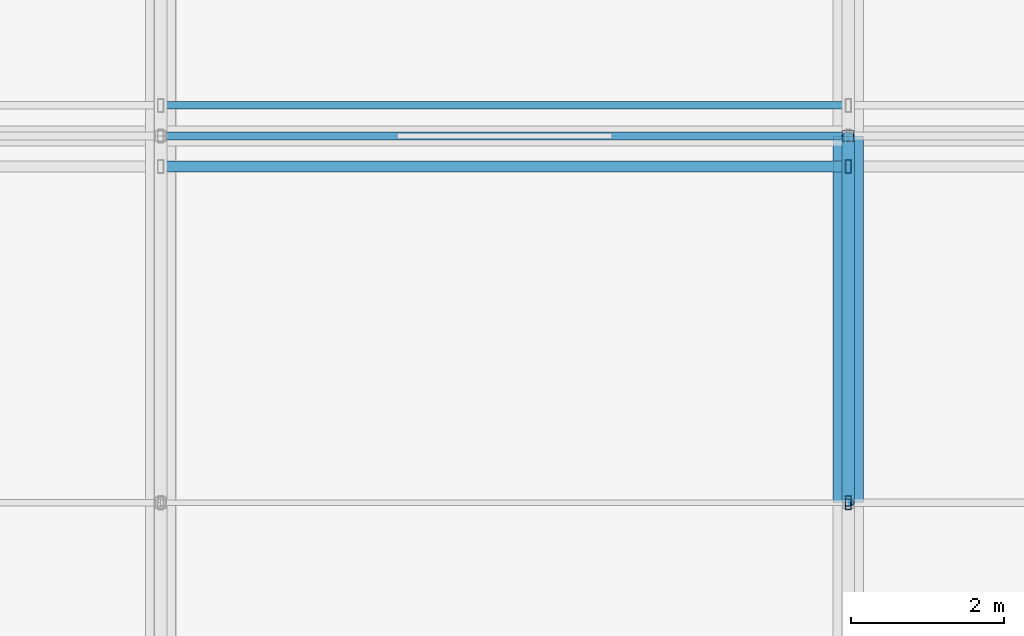
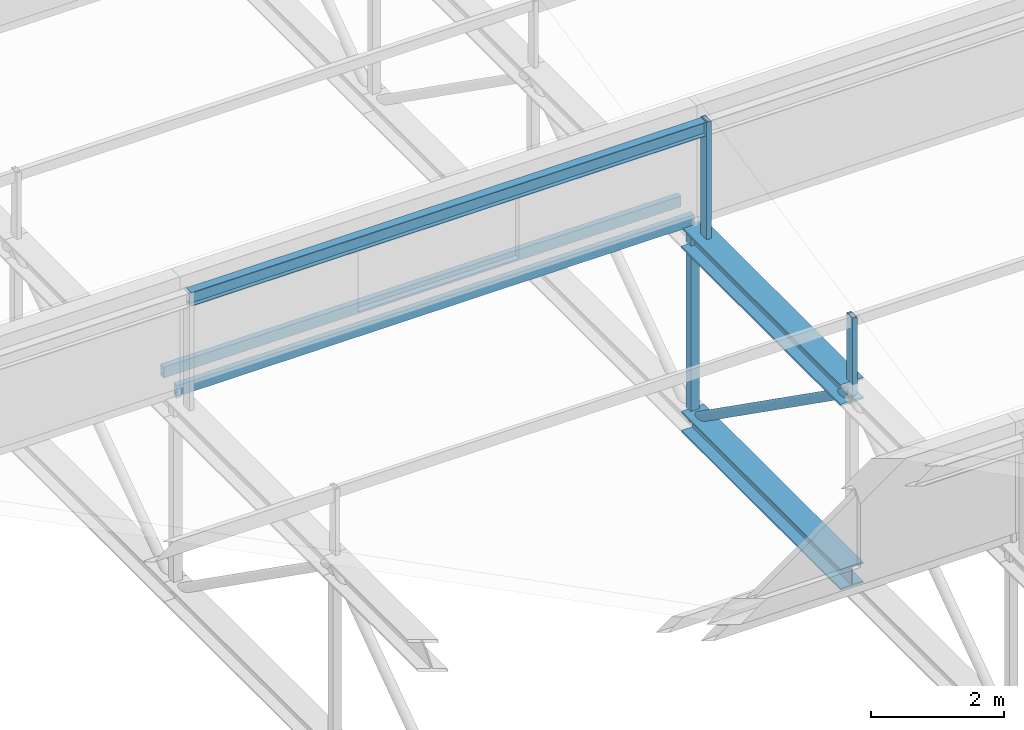
# One storey, part 34 of 136: 7 members, 2 beams.
"""IFC4 building model written with IfcOpenShell, lengths in metres."""

from ifc_helpers import new_model, si_unit, direction, frame, origin, origin_2d, place, context, subcontext, project, spatial, hollow_rectangle, hollow_circle, i_section, extrude, material, material_profile, profile_set, type_object, element, save


model = new_model("IFC4")

# Units and contexts
model_context = context("Model", 3, precision=1e-05, world=origin(), true_north=direction((0.0, 1.0)))
body_context = subcontext(model_context, "Body", "Model", "MODEL_VIEW")
ifc_project = project(units=[si_unit("LENGTHUNIT", "METRE"), si_unit("AREAUNIT", "SQUARE_METRE"), si_unit("VOLUMEUNIT", "CUBIC_METRE"), si_unit("PLANEANGLEUNIT", "RADIAN"), si_unit("MASSUNIT", "GRAM", prefix="KILO")], contexts=[model_context])

# Site, building, storey
site_placement = place(None, origin())
site = spatial("IfcSite", under=ifc_project, at=site_placement, CompositionType="ELEMENT")
building_placement = place(site_placement, origin())
building = spatial("IfcBuilding", under=site, at=building_placement, Name="Kisiwana Market Hall", CompositionType="ELEMENT")
storey_placement = place(building_placement, frame((0.0, 0.0, 16.800048828125)))
storey = spatial("IfcBuildingStorey", under=building, at=storey_placement, Name="L03", CompositionType="ELEMENT", Elevation=16.800048828125)

# Beams
ifc_material_1 = material(Name="Steel S355", Category="steel")
ifc_material_profile_1 = material_profile(ifc_material_1, i_section(OverallWidth=0.394775390625, OverallDepth=0.381103515625, WebThickness=0.018310546875, FlangeThickness=0.0302734375, at=origin_2d()), Name="UC 356x406x235")
ifc_profile_set_1 = profile_set([ifc_material_profile_1], Name="Steel S355")
beam_type_1 = type_object("IfcBeamType", Name="BM-TRUSS-BOT", PredefinedType="USERDEFINED", material=ifc_profile_set_1)
beam_1_placement = place(storey_placement, frame((117.0, 50.39990234375, 0.22998046875), z_axis=(0.0, 1.0, 0.0), x_axis=(-1.0, 0.0, 0.0)))
element("IfcBeam", 1, at=beam_1_placement, inside=storey, type_object=beam_type_1, Name="TR-06 BC panel 4 B-1281", ObjectType="ROOF TRUSS", PredefinedType="USERDEFINED", context=body_context, shape_type="SweptSolid", body=[
    extrude(i_section(OverallWidth=0.394775390625, OverallDepth=0.381103515625, WebThickness=0.018310546875, FlangeThickness=0.0302734375, at=origin_2d()), origin(), (0.0, 0.0, 1.0), 4.800048828125),
])
ifc_material_2 = material(Name="Steel S355", Category="steel")
ifc_material_profile_2 = material_profile(ifc_material_2, i_section(OverallWidth=0.39892578125, OverallDepth=0.3935546875, WebThickness=0.022705078125, FlangeThickness=0.03662109375, at=origin_2d()), Name="UC 356x406x287")
ifc_profile_set_2 = profile_set([ifc_material_profile_2], Name="Steel S355")
beam_type_2 = type_object("IfcBeamType", Name="BM-TRUSS-TOP", PredefinedType="USERDEFINED", material=ifc_profile_set_2)
beam_2_placement = place(storey_placement, frame((117.0, 50.39990234375, 3.619873046875), z_axis=(0.0, 1.0, 0.0), x_axis=(-1.0, 0.0, 0.0)))
element("IfcBeam", 2, at=beam_2_placement, inside=storey, type_object=beam_type_2, Name="TR-06 TC panel 4 B-1291", ObjectType="ROOF TRUSS", PredefinedType="USERDEFINED", context=body_context, shape_type="SweptSolid", body=[
    extrude(i_section(OverallWidth=0.39892578125, OverallDepth=0.3935546875, WebThickness=0.022705078125, FlangeThickness=0.03662109375, at=origin_2d()), origin(), (0.0, 0.0, 1.0), 4.800048828125),
])

# Members
ifc_material_3 = material(Name="Steel S355", Category="steel")
ifc_material_profile_3 = material_profile(ifc_material_3, hollow_rectangle(XDim=0.080078125, YDim=0.179931640625, WallThickness=0.00634765625, at=origin_2d()), Name="RHS 180x80x6.3")
ifc_profile_set_3 = profile_set([ifc_material_profile_3], Name="Steel S355")
member_type_1 = type_object("IfcMemberType", Name="MB-CAN-STRUT", PredefinedType="STRUT", material=ifc_profile_set_3)
member_1_placement = place(storey_placement, frame((117.0, 54.800048828125, 3.619873046875), z_axis=(0.0, 0.0, 1.0), x_axis=(1.0, 0.0, 0.0)))
element("IfcMember", 3, at=member_1_placement, inside=storey, type_object=member_type_1, Name="Sawtooth raker post 214 M-0264", PredefinedType="STRUT", context=body_context, shape_type="SweptSolid", body=[
    extrude(hollow_rectangle(XDim=0.080078125, YDim=0.179931640625, WallThickness=0.00634765625, at=origin_2d()), origin(), (0.0, 0.0, 1.0), 2.355712890625),
])
member_2_placement = place(storey_placement, frame((117.0, 50.39990234375, 3.619873046875), z_axis=(0.0, 0.0, 1.0), x_axis=(1.0, 0.0, 0.0)))
element("IfcMember", 4, at=member_2_placement, inside=storey, type_object=member_type_1, Name="Sawtooth mid-slope raker post 21 M-0066", PredefinedType="STRUT", context=body_context, shape_type="SweptSolid", body=[
    extrude(hollow_rectangle(XDim=0.080078125, YDim=0.179931640625, WallThickness=0.00634765625, at=origin_2d()), origin(), (0.0, 0.0, 1.0), 1.42041015625),
])
ifc_material_4 = material(Name="Steel S355", Category="steel")
ifc_material_profile_4 = material_profile(ifc_material_4, hollow_rectangle(XDim=0.10009765625, YDim=0.199951171875, WallThickness=0.008056640625, at=origin_2d()), Name="RHS 200x100x8.0")
ifc_profile_set_4 = profile_set([ifc_material_profile_4], Name="Steel S355")
member_type_2 = type_object("IfcMemberType", Name="MB-ROOF-PURLIN1", PredefinedType="PURLIN", material=ifc_profile_set_4)
for number, where, z_axis, x_axis, name in (
    (5, (108.0, 55.199951171875, 3.90087890625), (1.0, 0.0, 0.0), (0.0, 1.0, 0.0), "Sawtooth roof purlin 236 M-0161"),
    (6, (108.0, 55.60009765625, 4.0009765625), (1.0, 0.0, 0.0), (0.0, 1.0, 0.0), "Sawtooth roof purlin 279 M-0180"),
):
    element("IfcMember", number, at=place(storey_placement, frame(where, z_axis=z_axis, x_axis=x_axis)), inside=storey, type_object=member_type_2, Name=name, PredefinedType="PURLIN", context=body_context, shape_type="SweptSolid", body=[
        extrude(hollow_rectangle(XDim=0.10009765625, YDim=0.199951171875, WallThickness=0.008056640625, at=origin_2d()), origin(), (0.0, 0.0, 1.0), 9.0),
    ])
ifc_material_5 = material(Name="Steel S355", Category="steel")
ifc_material_profile_5 = material_profile(ifc_material_5, i_section(OverallWidth=0.146484375, OverallDepth=0.256103515625, WebThickness=0.00634765625, FlangeThickness=0.010986328125, at=origin_2d()), Name="UB 254x146x37")
ifc_profile_set_5 = profile_set([ifc_material_profile_5], Name="Steel S355")
member_type_3 = type_object("IfcMemberType", Name="MB-ROOF-PURLIN2", PredefinedType="PURLIN", material=ifc_profile_set_5)
member_3_placement = place(storey_placement, frame((108.0, 54.800048828125, 5.843505859375), z_axis=(1.0, 0.0, 0.0), x_axis=(0.0, 1.0, 0.0)))
element("IfcMember", 7, at=member_3_placement, inside=storey, type_object=member_type_3, Name="Sawtooth roof purlin 235 M-0160", PredefinedType="PURLIN", context=body_context, shape_type="SweptSolid", body=[
    extrude(i_section(OverallWidth=0.146484375, OverallDepth=0.256103515625, WebThickness=0.00634765625, FlangeThickness=0.010986328125, at=origin_2d()), origin(), (0.0, 0.0, 1.0), 9.0),
])
ifc_material_6 = material(Name="Steel S355", Category="steel")
ifc_material_profile_6 = material_profile(ifc_material_6, hollow_circle(Radius=0.084228515625, WallThickness=0.010009765625, at=origin_2d()), Name="CHS 168.3x10.0")
ifc_profile_set_6 = profile_set([ifc_material_profile_6], Name="Steel S355")
member_type_4 = type_object("IfcMemberType", Name="MB-TR-DIAG168", PredefinedType="BRACE", material=ifc_profile_set_6)
member_4_placement = place(storey_placement, frame((117.0, 50.39990234375, 3.619873046875), z_axis=(0.0, 0.816837735077, -0.576867501732), x_axis=(-1.0, 0.0, 0.0)))
element("IfcMember", 8, at=member_4_placement, inside=storey, type_object=member_type_4, Name="TR-06 diagonal 4 M-0434", PredefinedType="BRACE", context=body_context, shape_type="SweptSolid", body=[
    extrude(hollow_circle(Radius=0.084228515625, WallThickness=0.010009765625, at=origin_2d()), origin(), (0.0, 0.0, 1.0), 5.87646484375),
])
ifc_material_7 = material(Name="Steel S355", Category="steel")
ifc_material_profile_7 = material_profile(ifc_material_7, hollow_rectangle(XDim=0.14990234375, YDim=0.14990234375, WallThickness=0.008056640625, at=origin_2d()), Name="SHS 150x150x8.0")
ifc_profile_set_7 = profile_set([ifc_material_profile_7], Name="Steel S355")
member_type_5 = type_object("IfcMemberType", Name="MB-TR-STRUT200", PredefinedType="STRUT", material=ifc_profile_set_7)
member_5_placement = place(storey_placement, frame((117.0, 55.199951171875, 0.22998046875), z_axis=(0.0, 0.0, 1.0), x_axis=(1.0, 0.0, 0.0)))
element("IfcMember", 9, at=member_5_placement, inside=storey, type_object=member_type_5, Name="TR-06 vertical strut 5 M-0444", PredefinedType="STRUT", context=body_context, shape_type="SweptSolid", body=[
    extrude(hollow_rectangle(XDim=0.14990234375, YDim=0.14990234375, WallThickness=0.008056640625, at=origin_2d()), origin(), (0.0, 0.0, 1.0), 3.389892578125),
])

save(model, "model.ifc")
